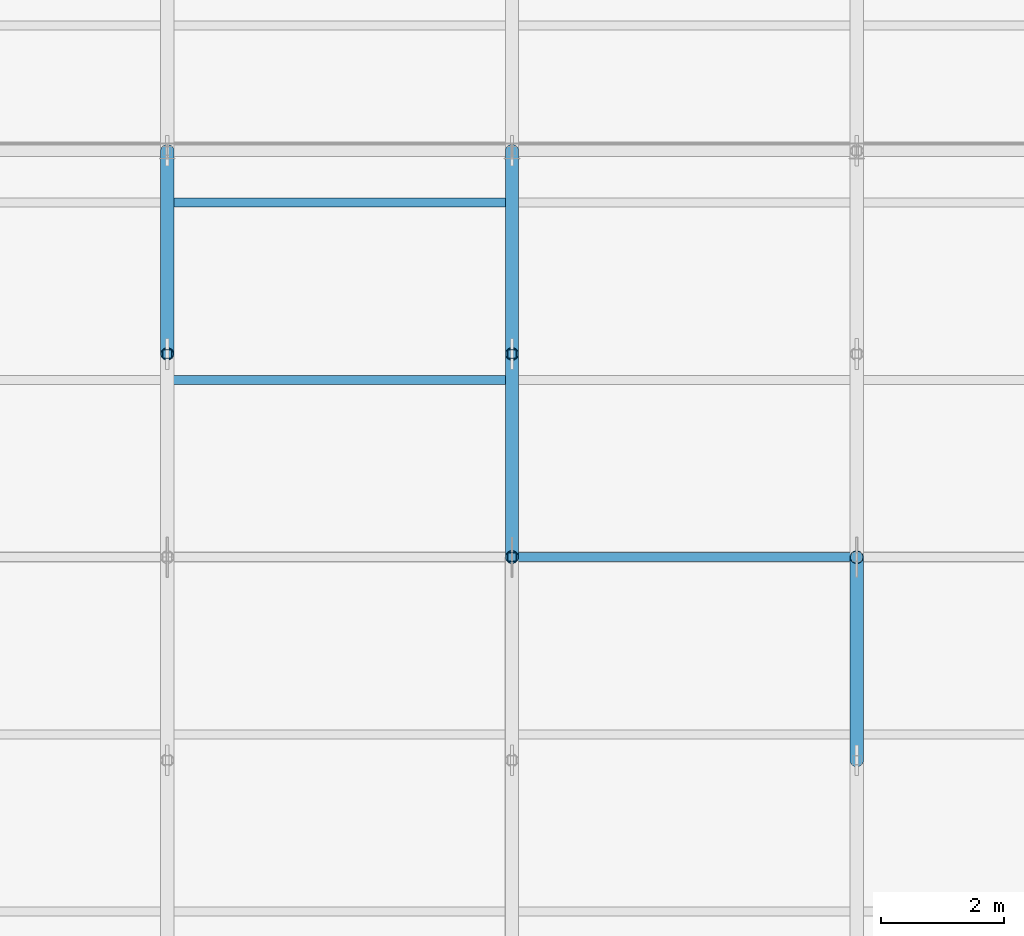
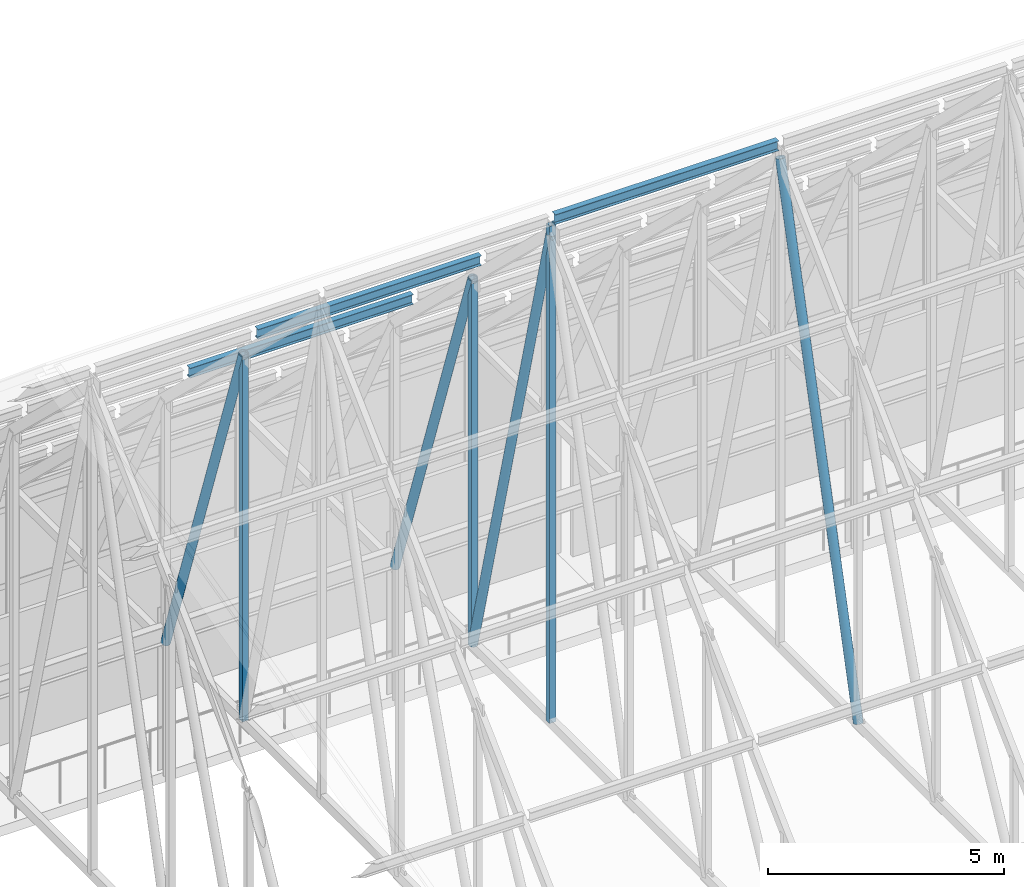
# One storey, part 36 of 144: 10 members.
"""IFC4 building model written with IfcOpenShell, lengths in metres."""

from ifc_helpers import new_model, si_unit, direction, frame, origin, origin_2d, place, context, subcontext, project, spatial, hollow_rectangle, hollow_circle, i_section, extrude, material, material_profile, profile_set, type_object, element, save


model = new_model("IFC4")

# Units and contexts
model_context = context("Model", 3, precision=1e-05, world=origin(), true_north=direction((0.0, 1.0)))
body_context = subcontext(model_context, "Body", "Model", "MODEL_VIEW")
ifc_project = project(units=[si_unit("LENGTHUNIT", "METRE"), si_unit("AREAUNIT", "SQUARE_METRE"), si_unit("VOLUMEUNIT", "CUBIC_METRE"), si_unit("PLANEANGLEUNIT", "RADIAN"), si_unit("MASSUNIT", "GRAM", prefix="KILO")], contexts=[model_context])

# Site, building, storey
site_placement = place(None, origin())
site = spatial("IfcSite", under=ifc_project, at=site_placement, CompositionType="ELEMENT")
building_placement = place(site_placement, origin())
building = spatial("IfcBuilding", under=site, at=building_placement, Name="Trelmorton Wharf Fire Station", CompositionType="ELEMENT")
storey_placement = place(building_placement, frame((0.0, 0.0, 5.39990234375)))
storey = spatial("IfcBuildingStorey", under=building, at=storey_placement, Name="L01", CompositionType="ELEMENT", Elevation=5.39990234375)

# Members
ifc_material_1 = material(Name="Steel Grade 300 (300 MPa)", Category="steel")
ifc_material_profile_1 = material_profile(ifc_material_1, i_section(OverallWidth=0.14599609375, OverallDepth=0.256103515625, WebThickness=0.00634765625, FlangeThickness=0.010986328125, FilletRadius=0.0087890625, at=origin_2d()), Name="250UB37.3")
ifc_profile_set_1 = profile_set([ifc_material_profile_1], Name="Steel Grade 300 (300 MPa)")
member_type_1 = type_object("IfcMemberType", Name="PR_250UB37", PredefinedType="PURLIN", material=ifc_profile_set_1)
for number, where, z_axis, x_axis, name in (
    (1, (17.672119140625, 23.8798828125, 13.5625), (1.0, 0.0, 0.0), (0.0, 1.0, 0.0), "V1-PR-B04-N1"),
    (2, (17.672119140625, 26.760009765625, 10.8134765625), (1.0, 0.0, 0.0), (0.0, 1.0, 0.0), "V1-PR-B04-N2"),
):
    element("IfcMember", number, at=place(storey_placement, frame(where, z_axis=z_axis, x_axis=x_axis)), inside=storey, type_object=member_type_1, Name=name, PredefinedType="PURLIN", context=body_context, shape_type="SweptSolid", body=[
        extrude(i_section(OverallWidth=0.14599609375, OverallDepth=0.256103515625, WebThickness=0.00634765625, FlangeThickness=0.010986328125, FilletRadius=0.0087890625, at=origin_2d()), origin(), (0.0, 0.0, 1.0), 5.455810546875),
    ])
member_1_placement = place(storey_placement, frame((23.27197265625, 21.0, 16.311767578125), z_axis=(1.0, 0.0, 0.0), x_axis=(0.0, 1.0, 0.0)))
element("IfcMember", 3, at=member_1_placement, inside=storey, type_object=member_type_1, Name="V1-PR-B05-S5", PredefinedType="PURLIN", context=body_context, shape_type="SweptSolid", body=[
    extrude(i_section(OverallWidth=0.14599609375, OverallDepth=0.256103515625, WebThickness=0.00634765625, FlangeThickness=0.010986328125, FilletRadius=0.0087890625, at=origin_2d()), origin(), (0.0, 0.0, 1.0), 5.4560546875),
])
ifc_material_2 = material(Name="Steel C350L0 (350 MPa)", Category="steel")
ifc_material_profile_2 = material_profile(ifc_material_2, hollow_circle(Radius=0.109619140625, WallThickness=0.00830078125, at=origin_2d()), Name="219.1x8.2CHS")
ifc_profile_set_2 = profile_set([ifc_material_profile_2], Name="Steel C350L0 (350 MPa)")
member_type_2 = type_object("IfcMemberType", Name="TR_DIAG_219CHS", PredefinedType="STRUT", material=ifc_profile_set_2)
for number, where, z_axis, x_axis, name in (
    (4, (17.60009765625, 27.60009765625, 3.351806640625), (0.0, -0.329681107508, 0.944092351072), (1.0, 0.0, 0.0), "V1-TR04-DG-N2"),
    (5, (23.199951171875, 27.60009765625, 3.351806640625), (0.0, -0.329681107508, 0.944092351072), (1.0, 0.0, 0.0), "V1-TR05-DG-N2"),
):
    element("IfcMember", number, at=place(storey_placement, frame(where, z_axis=z_axis, x_axis=x_axis)), inside=storey, type_object=member_type_2, Name=name, PredefinedType="STRUT", context=body_context, shape_type="SweptSolid", body=[
        extrude(hollow_circle(Radius=0.109619140625, WallThickness=0.00830078125, at=origin_2d()), origin(), (0.0, 0.0, 1.0), 10.009765625),
    ])
for number, where, z_axis, x_axis, name in (
    (6, (23.199951171875, 24.300048828125, 3.351806640625), (0.0, -0.25336106238, 0.967371785856), (1.0, 0.0, 0.0), "V1-TR05-DG-N3"),
    (7, (28.800048828125, 17.699951171875, 3.351806640625), (0.0, 0.25336106238, 0.967371785856), (-1.0, 0.0, 0.0), "V1-TR06-DG-S3"),
):
    element("IfcMember", number, at=place(storey_placement, frame(where, z_axis=z_axis, x_axis=x_axis)), inside=storey, type_object=member_type_2, Name=name, PredefinedType="STRUT", context=body_context, shape_type="SweptSolid", body=[
        extrude(hollow_circle(Radius=0.109619140625, WallThickness=0.00830078125, at=origin_2d()), origin(), (0.0, 0.0, 1.0), 13.025146484375),
    ])
ifc_material_profile_3 = material_profile(ifc_material_2, hollow_rectangle(XDim=0.14990234375, YDim=0.14990234375, WallThickness=0.009033203125, at=origin_2d()), Name="150x150x9.0SHS")
ifc_profile_set_3 = profile_set([ifc_material_profile_3], Name="Steel C350L0 (350 MPa)")
member_type_3 = type_object("IfcMemberType", Name="TR_POST_150SHS", PredefinedType="POST", material=ifc_profile_set_3)
member_2_placement = place(storey_placement, frame((17.60009765625, 24.300048828125, 3.351806640625), z_axis=(0.0, 0.0, 1.0), x_axis=(1.0, 0.0, 0.0)))
element("IfcMember", 8, at=member_2_placement, inside=storey, type_object=member_type_3, Name="V1-TR04-VP-N3", PredefinedType="POST", context=body_context, shape_type="SweptSolid", body=[
    extrude(hollow_rectangle(XDim=0.14990234375, YDim=0.14990234375, WallThickness=0.009033203125, at=origin_2d()), origin(), (0.0, 0.0, 1.0), 9.4501953125),
])
member_3_placement = place(storey_placement, frame((23.199951171875, 21.0, 3.351806640625), z_axis=(0.0, 0.0, 1.0), x_axis=(1.0, 0.0, 0.0)))
element("IfcMember", 9, at=member_3_placement, inside=storey, type_object=member_type_3, Name="V1-TR05-KP", PredefinedType="POST", context=body_context, shape_type="SweptSolid", body=[
    extrude(hollow_rectangle(XDim=0.14990234375, YDim=0.14990234375, WallThickness=0.009033203125, at=origin_2d()), origin(), (0.0, 0.0, 1.0), 12.8359375),
])
member_4_placement = place(storey_placement, frame((23.199951171875, 24.300048828125, 3.351806640625), z_axis=(0.0, 0.0, 1.0), x_axis=(1.0, 0.0, 0.0)))
element("IfcMember", 10, at=member_4_placement, inside=storey, type_object=member_type_3, Name="V1-TR05-VP-N3", PredefinedType="POST", context=body_context, shape_type="SweptSolid", body=[
    extrude(hollow_rectangle(XDim=0.14990234375, YDim=0.14990234375, WallThickness=0.009033203125, at=origin_2d()), origin(), (0.0, 0.0, 1.0), 9.4501953125),
])

save(model, "model.ifc")
